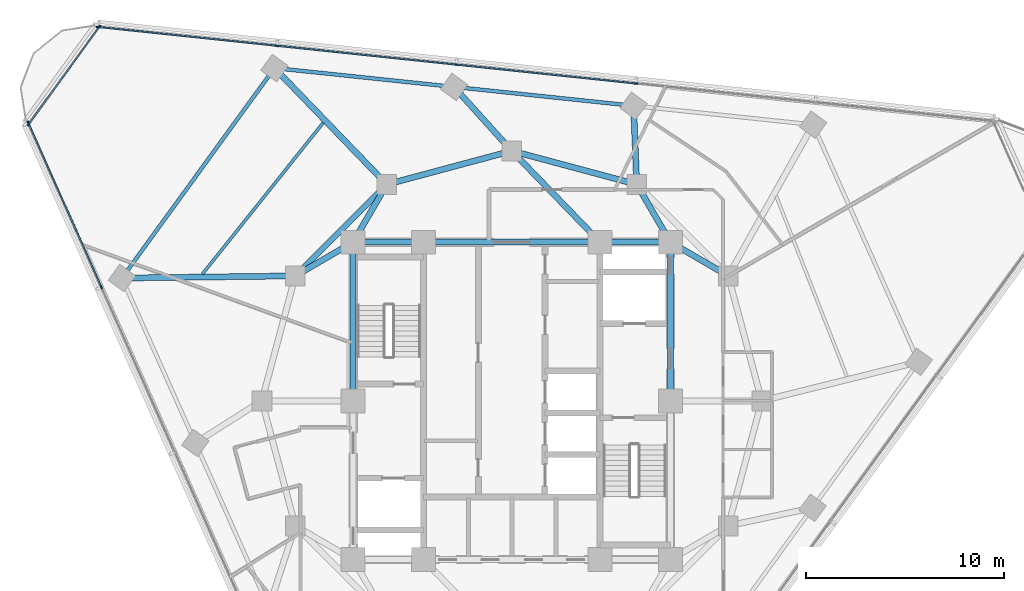
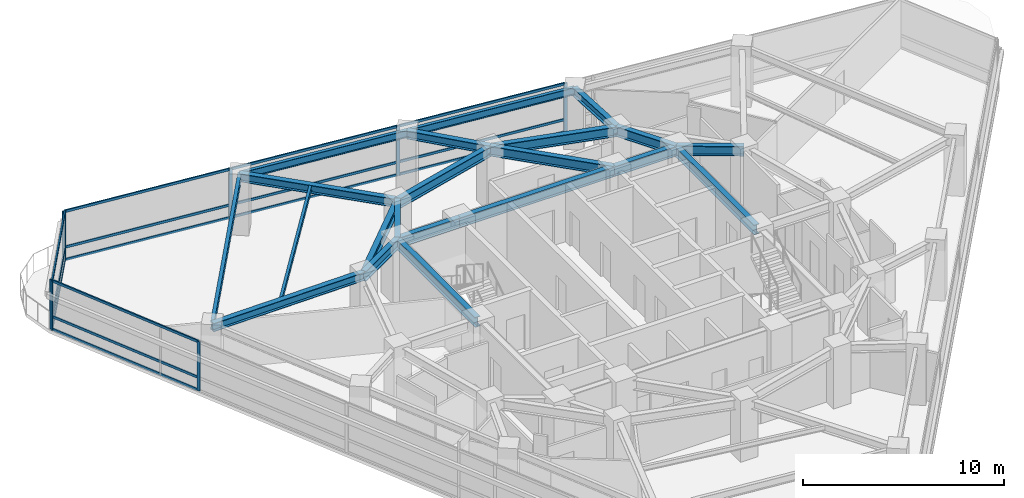
# One storey, part 5 of 14: 23 members, 21 beams, 3 elements without a shape of their own.
"""IFC4 building model written with IfcOpenShell, lengths in metres."""

from ifc_helpers import new_model, si_unit, direction, frame, origin, origin_2d, place, context, subcontext, project, spatial, rectangle, i_section, extrude, material, layer, layer_set, material_profile, profile_set, type_object, element, aggregate, save


model = new_model("IFC4")

# Units and contexts
model_context = context("Model", 3, precision=1e-05, world=origin(), true_north=direction((0.0, 1.0)))
body_context = subcontext(model_context, "Body", "Model", "MODEL_VIEW")
ifc_project = project(units=[si_unit("LENGTHUNIT", "METRE"), si_unit("AREAUNIT", "SQUARE_METRE"), si_unit("VOLUMEUNIT", "CUBIC_METRE"), si_unit("PLANEANGLEUNIT", "RADIAN"), si_unit("MASSUNIT", "GRAM", prefix="KILO")], contexts=[model_context])

# Site, building, storey
site_placement = place(None, origin())
site = spatial("IfcSite", under=ifc_project, at=site_placement, CompositionType="ELEMENT")
building_placement = place(site_placement, origin())
building = spatial("IfcBuilding", under=site, at=building_placement, Name="Terralouvre Media Tower", CompositionType="ELEMENT")
storey_placement = place(building_placement, frame((0.0, 0.0, 241.10009765625)))
storey = spatial("IfcBuildingStorey", under=building, at=storey_placement, Name="L62", CompositionType="ELEMENT", Elevation=241.10009765625)

# Beam
ifc_material_1 = material(Name="Structural steel S355J2", Category="steel")
ifc_material_profile_1 = material_profile(ifc_material_1, i_section(OverallWidth=0.14990234375, OverallDepth=0.300048828125, WebThickness=0.007080078125, FlangeThickness=0.0107421875, at=origin_2d()), Name="IPE 300")
ifc_profile_set_1 = profile_set([ifc_material_profile_1], Name="Structural steel S355J2")
beam_type_1 = type_object("IfcBeamType", Name="Composite Floor Joist J-IPE300 (IPE 300)", PredefinedType="JOIST", material=ifc_profile_set_1)
beam_1_placement = place(storey_placement, frame((-9.507568359375, 14.0205078125, 3.349853515625), z_axis=(-0.623938489158, -0.781473455561, 0.0), x_axis=(0.781473455561, -0.623938489158, 0.0)))
element("IfcBeam", 1, at=beam_1_placement, inside=storey, type_object=beam_type_1, Name="L62 Framing Beam JT-L62-05", PredefinedType="JOIST", context=body_context, shape_type="SweptSolid", body=[
    extrude(i_section(OverallWidth=0.14990234375, OverallDepth=0.300048828125, WebThickness=0.007080078125, FlangeThickness=0.0107421875, at=origin_2d()), origin(), (0.0, 0.0, 1.0), 9.763427734375),
])

# Curtain wall, members
ifc_material_2 = material(Name="Low-iron laminated double glazing with solar-control coating", Category="glass")
ifc_layer_1 = layer(ifc_material_2, 0.1650390625, Name="Upper Executive Tower Curtain Wall CW-05")
ifc_layer_set_1 = layer_set([ifc_layer_1], Name="Low-iron laminated double glazing with solar-control coating")
curtain_wall_type_1 = type_object("IfcCurtainWallType", Name="Upper Executive Tower Curtain Wall CW-05", PredefinedType="NOTDEFINED", material=ifc_layer_set_1)
curtain_wall_1_placement = place(storey_placement, origin())
curtain_wall_1 = element("IfcCurtainWall", 2, at=curtain_wall_1_placement, inside=storey, type_object=curtain_wall_type_1, Name="L62 Facade Curtain Wall F1", PredefinedType="NOTDEFINED")
ifc_material_3 = material(Name="Anodised extruded aluminium 6063-T6", Category="aluminium")
ifc_material_profile_2 = material_profile(ifc_material_3, rectangle(XDim=0.074951171875, YDim=0.14990234375, at=origin_2d()), Name="ALU 75x150")
ifc_profile_set_2 = profile_set([ifc_material_profile_2], Name="Anodised extruded aluminium 6063-T6")
member_type_1 = type_object("IfcMemberType", Name="Curtain-Wall Horizontal Transom TR-150", PredefinedType="USERDEFINED", material=ifc_profile_set_2)
member_1_placement = place(storey_placement, frame((6.21923828125, 16.002197265625, 0.037353515625), z_axis=(-0.994522041896, 0.104527069141, 0.0), x_axis=(-0.104527069141, -0.994522041896, 0.0)))
member_1 = element("IfcMember", 3, at=member_1_placement, type_object=member_type_1, Name="CW-05 transom 3.1", ObjectType="TRANSOM", PredefinedType="USERDEFINED", context=body_context, shape_type="SweptSolid", body=[
    extrude(rectangle(XDim=0.074951171875, YDim=0.14990234375, at=origin_2d()), origin(), (0.0, 0.0, 1.0), 9.025146484375),
])
member_2_placement = place(storey_placement, frame((6.21923828125, 16.002197265625, 0.7998046875), z_axis=(-0.994522041896, 0.104527069141, 0.0), x_axis=(-0.104527069141, -0.994522041896, 0.0)))
member_2 = element("IfcMember", 4, at=member_2_placement, type_object=member_type_1, Name="CW-05 transom 3.2", ObjectType="TRANSOM", PredefinedType="USERDEFINED", context=body_context, shape_type="SweptSolid", body=[
    extrude(rectangle(XDim=0.074951171875, YDim=0.14990234375, at=origin_2d()), origin(), (0.0, 0.0, 1.0), 9.025146484375),
])
member_3_placement = place(storey_placement, frame((6.21923828125, 16.002197265625, 2.96240234375), z_axis=(-0.994522041896, 0.104527069141, 0.0), x_axis=(-0.104527069141, -0.994522041896, 0.0)))
member_3 = element("IfcMember", 5, at=member_3_placement, type_object=member_type_1, Name="CW-05 transom 3.3", ObjectType="TRANSOM", PredefinedType="USERDEFINED", context=body_context, shape_type="SweptSolid", body=[
    extrude(rectangle(XDim=0.074951171875, YDim=0.14990234375, at=origin_2d()), origin(), (0.0, 0.0, 1.0), 9.025146484375),
])
member_4_placement = place(storey_placement, frame((-2.830810546875, 16.95361328125, 0.037353515625), z_axis=(-0.994522041896, 0.104527069141, 0.0), x_axis=(-0.104527069141, -0.994522041896, 0.0)))
member_4 = element("IfcMember", 6, at=member_4_placement, type_object=member_type_1, Name="CW-05 transom 4.1", ObjectType="TRANSOM", PredefinedType="USERDEFINED", context=body_context, shape_type="SweptSolid", body=[
    extrude(rectangle(XDim=0.074951171875, YDim=0.14990234375, at=origin_2d()), origin(), (0.0, 0.0, 1.0), 9.025146484375),
])
member_5_placement = place(storey_placement, frame((-2.830810546875, 16.95361328125, 0.7998046875), z_axis=(-0.994522041896, 0.104527069141, 0.0), x_axis=(-0.104527069141, -0.994522041896, 0.0)))
member_5 = element("IfcMember", 7, at=member_5_placement, type_object=member_type_1, Name="CW-05 transom 4.2", ObjectType="TRANSOM", PredefinedType="USERDEFINED", context=body_context, shape_type="SweptSolid", body=[
    extrude(rectangle(XDim=0.074951171875, YDim=0.14990234375, at=origin_2d()), origin(), (0.0, 0.0, 1.0), 9.025146484375),
])
member_6_placement = place(storey_placement, frame((-2.830810546875, 16.95361328125, 2.96240234375), z_axis=(-0.994522041896, 0.104527069141, 0.0), x_axis=(-0.104527069141, -0.994522041896, 0.0)))
member_6 = element("IfcMember", 8, at=member_6_placement, type_object=member_type_1, Name="CW-05 transom 4.3", ObjectType="TRANSOM", PredefinedType="USERDEFINED", context=body_context, shape_type="SweptSolid", body=[
    extrude(rectangle(XDim=0.074951171875, YDim=0.14990234375, at=origin_2d()), origin(), (0.0, 0.0, 1.0), 9.025146484375),
])
member_7_placement = place(storey_placement, frame((-11.881103515625, 17.90478515625, 0.037353515625), z_axis=(-0.994521813919, 0.104529238206, 0.0), x_axis=(-0.104529238206, -0.994521813919, 0.0)))
member_7 = element("IfcMember", 9, at=member_7_placement, type_object=member_type_1, Name="CW-05 transom 5.1", ObjectType="TRANSOM", PredefinedType="USERDEFINED", context=body_context, shape_type="SweptSolid", body=[
    extrude(rectangle(XDim=0.074951171875, YDim=0.14990234375, at=origin_2d()), origin(), (0.0, 0.0, 1.0), 8.987548828125),
])
member_8_placement = place(storey_placement, frame((-11.881103515625, 17.90478515625, 0.7998046875), z_axis=(-0.994521813919, 0.104529238206, 0.0), x_axis=(-0.104529238206, -0.994521813919, 0.0)))
member_8 = element("IfcMember", 10, at=member_8_placement, type_object=member_type_1, Name="CW-05 transom 5.2", ObjectType="TRANSOM", PredefinedType="USERDEFINED", context=body_context, shape_type="SweptSolid", body=[
    extrude(rectangle(XDim=0.074951171875, YDim=0.14990234375, at=origin_2d()), origin(), (0.0, 0.0, 1.0), 8.987548828125),
])
member_9_placement = place(storey_placement, frame((-11.881103515625, 17.90478515625, 2.96240234375), z_axis=(-0.994521813919, 0.104529238206, 0.0), x_axis=(-0.104529238206, -0.994521813919, 0.0)))
member_9 = element("IfcMember", 11, at=member_9_placement, type_object=member_type_1, Name="CW-05 transom 5.3", ObjectType="TRANSOM", PredefinedType="USERDEFINED", context=body_context, shape_type="SweptSolid", body=[
    extrude(rectangle(XDim=0.074951171875, YDim=0.14990234375, at=origin_2d()), origin(), (0.0, 0.0, 1.0), 8.987548828125),
])

curtain_wall_2_placement = place(storey_placement, origin())
curtain_wall_2 = element("IfcCurtainWall", 12, at=curtain_wall_2_placement, inside=storey, type_object=curtain_wall_type_1, Name="L62 Facade Curtain Wall F2", PredefinedType="NOTDEFINED")
member_10_placement = place(storey_placement, frame((-24.35546875, 13.97705078125, 0.037353515625), z_axis=(0.406758390963, -0.913535774549, 0.0), x_axis=(0.913535774549, 0.406758390963, 0.0)))
member_10 = element("IfcMember", 13, at=member_10_placement, type_object=member_type_1, Name="CW-05 transom 1.1", ObjectType="TRANSOM", PredefinedType="USERDEFINED", context=body_context, shape_type="SweptSolid", body=[
    extrude(rectangle(XDim=0.074951171875, YDim=0.14990234375, at=origin_2d()), origin(), (0.0, 0.0, 1.0), 8.987548828125),
])
member_11_placement = place(storey_placement, frame((-24.35546875, 13.97705078125, 0.7998046875), z_axis=(0.406758390963, -0.913535774549, 0.0), x_axis=(0.913535774549, 0.406758390963, 0.0)))
member_11 = element("IfcMember", 14, at=member_11_placement, type_object=member_type_1, Name="CW-05 transom 1.2", ObjectType="TRANSOM", PredefinedType="USERDEFINED", context=body_context, shape_type="SweptSolid", body=[
    extrude(rectangle(XDim=0.074951171875, YDim=0.14990234375, at=origin_2d()), origin(), (0.0, 0.0, 1.0), 8.987548828125),
])
member_12_placement = place(storey_placement, frame((-24.35546875, 13.97705078125, 2.96240234375), z_axis=(0.406758390963, -0.913535774549, 0.0), x_axis=(0.913535774549, 0.406758390963, 0.0)))
member_12 = element("IfcMember", 15, at=member_12_placement, type_object=member_type_1, Name="CW-05 transom 1.3", ObjectType="TRANSOM", PredefinedType="USERDEFINED", context=body_context, shape_type="SweptSolid", body=[
    extrude(rectangle(XDim=0.074951171875, YDim=0.14990234375, at=origin_2d()), origin(), (0.0, 0.0, 1.0), 8.987548828125),
])

ifc_material_4 = material(Name="Low-iron laminated double glazing with solar-control coating", Category="glass")
ifc_layer_2 = layer(ifc_material_4, 0.1650390625, Name="Rounded Wind-Corner Curved Glazing CW-04")
ifc_layer_set_2 = layer_set([ifc_layer_2], Name="Low-iron laminated double glazing with solar-control coating")
curtain_wall_type_2 = type_object("IfcCurtainWallType", Name="Rounded Wind-Corner Curved Glazing CW-04", PredefinedType="NOTDEFINED", material=ifc_layer_set_2)
curtain_wall_3_placement = place(storey_placement, origin())
curtain_wall_3 = element("IfcCurtainWall", 16, at=curtain_wall_3_placement, inside=storey, type_object=curtain_wall_type_2, Name="L62 Rounded Wind-Corner Curtain Wall C2", PredefinedType="NOTDEFINED")
member_13_placement = place(storey_placement, frame((-20.812255859375, 18.828369140625, 0.037353515625), z_axis=(-0.58777959511, -0.809021104528, 0.0), x_axis=(0.809021104528, -0.58777959511, 0.0)))
member_13 = element("IfcMember", 17, at=member_13_placement, type_object=member_type_1, Name="CW-04 transom 1.1", ObjectType="TRANSOM", PredefinedType="USERDEFINED", context=body_context, shape_type="SweptSolid", body=[
    extrude(rectangle(XDim=0.074951171875, YDim=0.14990234375, at=origin_2d()), origin(), (0.0, 0.0, 1.0), 5.99853515625),
])
member_14_placement = place(storey_placement, frame((-20.812255859375, 18.828369140625, 0.7998046875), z_axis=(-0.58777959511, -0.809021104528, 0.0), x_axis=(0.809021104528, -0.58777959511, 0.0)))
member_14 = element("IfcMember", 18, at=member_14_placement, type_object=member_type_1, Name="CW-04 transom 1.2", ObjectType="TRANSOM", PredefinedType="USERDEFINED", context=body_context, shape_type="SweptSolid", body=[
    extrude(rectangle(XDim=0.074951171875, YDim=0.14990234375, at=origin_2d()), origin(), (0.0, 0.0, 1.0), 5.99853515625),
])
member_15_placement = place(storey_placement, frame((-20.812255859375, 18.828369140625, 2.96240234375), z_axis=(-0.58777959511, -0.809021104528, 0.0), x_axis=(0.809021104528, -0.58777959511, 0.0)))
member_15 = element("IfcMember", 19, at=member_15_placement, type_object=member_type_1, Name="CW-04 transom 1.3", ObjectType="TRANSOM", PredefinedType="USERDEFINED", context=body_context, shape_type="SweptSolid", body=[
    extrude(rectangle(XDim=0.074951171875, YDim=0.14990234375, at=origin_2d()), origin(), (0.0, 0.0, 1.0), 5.99853515625),
])

# Member
ifc_material_5 = material(Name="Anodised extruded aluminium 6063-T6", Category="aluminium")
ifc_material_profile_3 = material_profile(ifc_material_5, rectangle(XDim=0.074951171875, YDim=0.179931640625, at=origin_2d()), Name="ALU 75x180")
ifc_profile_set_3 = profile_set([ifc_material_profile_3], Name="Anodised extruded aluminium 6063-T6")
member_type_2 = type_object("IfcMemberType", Name="Curtain-Wall Vertical Mullion ML-180", PredefinedType="MULLION", material=ifc_profile_set_3)
member_16_placement = place(storey_placement, frame((6.256591796875, 15.998291015625, 0.0), z_axis=(0.0, 0.0, 1.0), x_axis=(-0.104528561651, -0.994521885028, 0.0)))
member_16 = element("IfcMember", 20, at=member_16_placement, type_object=member_type_2, Name="CW-05 mullion 3", PredefinedType="MULLION", context=body_context, shape_type="SweptSolid", body=[
    extrude(rectangle(XDim=0.074951171875, YDim=0.179931640625, at=origin_2d()), origin(), (0.0, 0.0, 1.0), 3.0),
])

member_17_placement = place(storey_placement, frame((-2.793701171875, 16.949462890625, 0.0), z_axis=(0.0, 0.0, 1.0), x_axis=(-0.104528561651, -0.994521885028, 0.0)))
member_17 = element("IfcMember", 21, at=member_17_placement, type_object=member_type_2, Name="CW-05 mullion 4", PredefinedType="MULLION", context=body_context, shape_type="SweptSolid", body=[
    extrude(rectangle(XDim=0.074951171875, YDim=0.179931640625, at=origin_2d()), origin(), (0.0, 0.0, 1.0), 3.0),
])

member_18_placement = place(storey_placement, frame((-11.84375, 17.90087890625, 0.0), z_axis=(0.0, 0.0, 1.0), x_axis=(-0.104528561651, -0.994521885028, 0.0)))
member_18 = element("IfcMember", 22, at=member_18_placement, type_object=member_type_2, Name="CW-05 mullion 5", PredefinedType="MULLION", context=body_context, shape_type="SweptSolid", body=[
    extrude(rectangle(XDim=0.074951171875, YDim=0.179931640625, at=origin_2d()), origin(), (0.0, 0.0, 1.0), 3.0),
])

member_19_placement = place(storey_placement, frame((-20.856689453125, 18.84814453125, 0.0), z_axis=(0.0, 0.0, 1.0), x_axis=(-0.104528561651, -0.994521885028, 0.0)))
member_19 = element("IfcMember", 23, at=member_19_placement, type_object=member_type_2, Name="CW-05 mullion 6", PredefinedType="MULLION", context=body_context, shape_type="SweptSolid", body=[
    extrude(rectangle(XDim=0.074951171875, YDim=0.179931640625, at=origin_2d()), origin(), (0.0, 0.0, 1.0), 3.0),
])

aggregate(curtain_wall_1, [member_16, member_17, member_18, member_19, member_1, member_2, member_3, member_4, member_5, member_6, member_7, member_8, member_9])

member_20_placement = place(storey_placement, frame((-24.37060546875, 14.011474609375, 0.0), z_axis=(0.0, 0.0, 1.0), x_axis=(0.913545441365, 0.406736679636, 0.0)))
member_20 = element("IfcMember", 24, at=member_20_placement, type_object=member_type_2, Name="CW-05 mullion 1", PredefinedType="MULLION", context=body_context, shape_type="SweptSolid", body=[
    extrude(rectangle(XDim=0.074951171875, YDim=0.179931640625, at=origin_2d()), origin(), (0.0, 0.0, 1.0), 3.0),
])

member_21_placement = place(storey_placement, frame((-20.6845703125, 5.732421875, 0.0), z_axis=(0.0, 0.0, 1.0), x_axis=(0.913545441365, 0.406736679636, 0.0)))
member_21 = element("IfcMember", 25, at=member_21_placement, type_object=member_type_2, Name="CW-05 mullion 2", PredefinedType="MULLION", context=body_context, shape_type="SweptSolid", body=[
    extrude(rectangle(XDim=0.074951171875, YDim=0.179931640625, at=origin_2d()), origin(), (0.0, 0.0, 1.0), 3.0),
])

aggregate(curtain_wall_2, [member_20, member_21, member_10, member_11, member_12])

member_22_placement = place(storey_placement, frame((-20.7900390625, 18.858642578125, 0.0), z_axis=(0.0, 0.0, 1.0), x_axis=(0.809016531067, -0.58778588998, 0.0)))
member_22 = element("IfcMember", 26, at=member_22_placement, type_object=member_type_2, Name="CW-04 mullion 1", PredefinedType="MULLION", context=body_context, shape_type="SweptSolid", body=[
    extrude(rectangle(XDim=0.074951171875, YDim=0.179931640625, at=origin_2d()), origin(), (0.0, 0.0, 1.0), 3.0),
])

member_23_placement = place(storey_placement, frame((-24.360107421875, 13.94482421875, 0.0), z_axis=(0.0, 0.0, 1.0), x_axis=(0.809016531067, -0.58778588998, 0.0)))
member_23 = element("IfcMember", 27, at=member_23_placement, type_object=member_type_2, Name="CW-04 mullion 2", PredefinedType="MULLION", context=body_context, shape_type="SweptSolid", body=[
    extrude(rectangle(XDim=0.074951171875, YDim=0.179931640625, at=origin_2d()), origin(), (0.0, 0.0, 1.0), 3.0),
])

aggregate(curtain_wall_3, [member_22, member_23, member_13, member_14, member_15])

# Beams
ifc_material_6 = material(Name="Structural steel S355J2", Category="steel")
ifc_material_profile_4 = material_profile(ifc_material_6, i_section(OverallWidth=0.18994140625, OverallDepth=0.449951171875, WebThickness=0.009521484375, FlangeThickness=0.0146484375, at=origin_2d()), Name="IPE 450")
ifc_profile_set_4 = profile_set([ifc_material_profile_4], Name="Structural steel S355J2")
beam_type_2 = type_object("IfcBeamType", Name="Perimeter Spandrel Beam SPB-450 (IPE 450)", PredefinedType="SPANDREL", material=ifc_profile_set_4)
beam_2_placement = place(storey_placement, frame((6.138427734375, 14.87451171875, 3.27490234375), z_axis=(-0.994522199081, 0.104525573596, 0.0), x_axis=(-0.104525573596, -0.994522199081, 0.0)))
element("IfcBeam", 28, at=beam_2_placement, inside=storey, type_object=beam_type_2, Name="L62 Framing Beam BM-L62-PR09", PredefinedType="SPANDREL", context=body_context, shape_type="SweptSolid", body=[
    extrude(i_section(OverallWidth=0.18994140625, OverallDepth=0.449951171875, WebThickness=0.009521484375, FlangeThickness=0.0146484375, at=origin_2d()), origin(), (0.0, 0.0, 1.0), 9.099853515625),
])
beam_3_placement = place(storey_placement, frame((-2.91162109375, 15.82568359375, 3.27490234375), z_axis=(-0.994522492191, 0.10452278472, 0.0), x_axis=(-0.10452278472, -0.994522492191, 0.0)))
element("IfcBeam", 29, at=beam_3_placement, inside=storey, type_object=beam_type_2, Name="L62 Framing Beam BM-L62-PR10", PredefinedType="SPANDREL", context=body_context, shape_type="SweptSolid", body=[
    extrude(i_section(OverallWidth=0.18994140625, OverallDepth=0.449951171875, WebThickness=0.009521484375, FlangeThickness=0.0146484375, at=origin_2d()), origin(), (0.0, 0.0, 1.0), 9.10009765625),
])
beam_4_placement = place(storey_placement, frame((-11.9619140625, 16.77685546875, 3.27490234375), z_axis=(-0.587794396272, -0.809010350806, 0.0), x_axis=(0.809010350806, -0.587794396272, 0.0)))
element("IfcBeam", 30, at=beam_4_placement, inside=storey, type_object=beam_type_2, Name="L62 Framing Beam BM-L62-PR11", PredefinedType="SPANDREL", context=body_context, shape_type="SweptSolid", body=[
    extrude(i_section(OverallWidth=0.18994140625, OverallDepth=0.449951171875, WebThickness=0.009521484375, FlangeThickness=0.0146484375, at=origin_2d()), origin(), (0.0, 0.0, 1.0), 13.08349609375),
])
ifc_material_7 = material(Name="Structural steel S355J2", Category="steel")
ifc_material_profile_5 = material_profile(ifc_material_7, i_section(OverallWidth=0.300048828125, OverallDepth=0.5, WebThickness=0.014404296875, FlangeThickness=0.028076171875, at=origin_2d()), Name="HEB 500")
ifc_profile_set_5 = profile_set([ifc_material_profile_5], Name="Structural steel S355J2")
beam_type_3 = type_object("IfcBeamType", Name="Primary Floor Girder B-HEB500 (HEB 500)", PredefinedType="BEAM", material=ifc_profile_set_5)
beam_5_placement = place(storey_placement, frame((6.300048828125, 10.911865234375, 3.25), z_axis=(-0.040752268141, 0.999169281274, 0.0), x_axis=(-0.999169281274, -0.040752268141, 0.0)))
element("IfcBeam", 31, at=beam_5_placement, inside=storey, type_object=beam_type_3, Name="L62 Framing Beam BM-L62-RD09", PredefinedType="BEAM", context=body_context, shape_type="SweptSolid", body=[
    extrude(i_section(OverallWidth=0.300048828125, OverallDepth=0.5, WebThickness=0.014404296875, FlangeThickness=0.028076171875, at=origin_2d()), origin(), (0.0, 0.0, 1.0), 3.9658203125),
])
beam_6_placement = place(storey_placement, frame((0.0, 12.60009765625, 3.25), z_axis=(-0.670056658177, 0.742309958732, 0.0), x_axis=(-0.742309958732, -0.670056658177, 0.0)))
element("IfcBeam", 32, at=beam_6_placement, inside=storey, type_object=beam_type_3, Name="L62 Framing Beam BM-L62-RD10", PredefinedType="BEAM", context=body_context, shape_type="SweptSolid", body=[
    extrude(i_section(OverallWidth=0.300048828125, OverallDepth=0.5, WebThickness=0.014404296875, FlangeThickness=0.028076171875, at=origin_2d()), origin(), (0.0, 0.0, 1.0), 4.34521484375),
])
beam_7_placement = place(storey_placement, frame((-6.300048828125, 10.911865234375, 3.25), z_axis=(-0.694538392484, 0.719455642389, 0.0), x_axis=(-0.719455642389, -0.694538392484, 0.0)))
element("IfcBeam", 33, at=beam_7_placement, inside=storey, type_object=beam_type_3, Name="L62 Framing Beam BM-L62-RD11", PredefinedType="BEAM", context=body_context, shape_type="SweptSolid", body=[
    extrude(i_section(OverallWidth=0.300048828125, OverallDepth=0.5, WebThickness=0.014404296875, FlangeThickness=0.028076171875, at=origin_2d()), origin(), (0.0, 0.0, 1.0), 8.152099609375),
])
beam_8_placement = place(storey_placement, frame((-10.911865234375, 6.300048828125, 3.25), z_axis=(-0.999923796559, -0.012345083045, 0.0), x_axis=(0.012345083045, -0.999923796559, 0.0)))
element("IfcBeam", 34, at=beam_8_placement, inside=storey, type_object=beam_type_3, Name="L62 Framing Beam BM-L62-RD12", PredefinedType="BEAM", context=body_context, shape_type="SweptSolid", body=[
    extrude(i_section(OverallWidth=0.300048828125, OverallDepth=0.5, WebThickness=0.014404296875, FlangeThickness=0.028076171875, at=origin_2d()), origin(), (0.0, 0.0, 1.0), 8.7412109375),
])
ifc_material_8 = material(Name="Structural steel S460M", Category="steel")
ifc_material_profile_6 = material_profile(ifc_material_8, i_section(OverallWidth=0.300048828125, OverallDepth=0.60009765625, WebThickness=0.015380859375, FlangeThickness=0.030029296875, at=origin_2d()), Name="HEB 600")
ifc_profile_set_6 = profile_set([ifc_material_profile_6], Name="Structural steel S460M")
beam_type_4 = type_object("IfcBeamType", Name="Primary Floor Girder B-HEB600 (HEB 600)", PredefinedType="BEAM", material=ifc_profile_set_6)
beam_9_placement = place(storey_placement, frame((8.0, 0.0, 3.199951171875), z_axis=(0.0, 1.0, 0.0), x_axis=(-1.0, 0.0, 0.0)))
element("IfcBeam", 35, at=beam_9_placement, inside=storey, type_object=beam_type_4, Name="L62 Framing Beam BM-L62-CPR05", PredefinedType="BEAM", context=body_context, shape_type="SweptSolid", body=[
    extrude(i_section(OverallWidth=0.300048828125, OverallDepth=0.60009765625, WebThickness=0.015380859375, FlangeThickness=0.030029296875, at=origin_2d()), origin(), (0.0, 0.0, 1.0), 8.0),
])
beam_10_placement = place(storey_placement, frame((8.0, 8.0, 3.199951171875), z_axis=(-1.0, 0.0, 0.0), x_axis=(0.0, -1.0, 0.0)))
element("IfcBeam", 36, at=beam_10_placement, inside=storey, type_object=beam_type_4, Name="L62 Framing Beam BM-L62-CPR06", PredefinedType="BEAM", context=body_context, shape_type="SweptSolid", body=[
    extrude(i_section(OverallWidth=0.300048828125, OverallDepth=0.60009765625, WebThickness=0.015380859375, FlangeThickness=0.030029296875, at=origin_2d()), origin(), (0.0, 0.0, 1.0), 3.550048828125),
])
beam_11_placement = place(storey_placement, frame((4.449951171875, 8.0, 3.199951171875), z_axis=(-1.0, 0.0, 0.0), x_axis=(0.0, -1.0, 0.0)))
element("IfcBeam", 37, at=beam_11_placement, inside=storey, type_object=beam_type_4, Name="L62 Framing Beam BM-L62-CPR07", PredefinedType="BEAM", context=body_context, shape_type="SweptSolid", body=[
    extrude(i_section(OverallWidth=0.300048828125, OverallDepth=0.60009765625, WebThickness=0.015380859375, FlangeThickness=0.030029296875, at=origin_2d()), origin(), (0.0, 0.0, 1.0), 8.89990234375),
])
beam_12_placement = place(storey_placement, frame((-4.449951171875, 8.0, 3.199951171875), z_axis=(-1.0, 0.0, 0.0), x_axis=(0.0, -1.0, 0.0)))
element("IfcBeam", 38, at=beam_12_placement, inside=storey, type_object=beam_type_4, Name="L62 Framing Beam BM-L62-CPR08", PredefinedType="BEAM", context=body_context, shape_type="SweptSolid", body=[
    extrude(i_section(OverallWidth=0.300048828125, OverallDepth=0.60009765625, WebThickness=0.015380859375, FlangeThickness=0.030029296875, at=origin_2d()), origin(), (0.0, 0.0, 1.0), 3.550048828125),
])
beam_13_placement = place(storey_placement, frame((-8.0, 8.0, 3.199951171875), z_axis=(0.0, -1.0, 0.0), x_axis=(1.0, 0.0, 0.0)))
element("IfcBeam", 39, at=beam_13_placement, inside=storey, type_object=beam_type_4, Name="L62 Framing Beam BM-L62-CPR09", PredefinedType="BEAM", context=body_context, shape_type="SweptSolid", body=[
    extrude(i_section(OverallWidth=0.300048828125, OverallDepth=0.60009765625, WebThickness=0.015380859375, FlangeThickness=0.030029296875, at=origin_2d()), origin(), (0.0, 0.0, 1.0), 8.0),
])
for number, where, z_axis, x_axis, name in (
    (40, (6.300048828125, 10.911865234375, 3.199951171875), (-0.965920481897, 0.258838989821, 0.0), (-0.258838989821, -0.965920481897, 0.0), "L62 Framing Beam BM-L62-MR08"),
    (41, (0.0, 12.60009765625, 3.199951171875), (-0.965920481897, -0.258838989821, 0.0), (0.258838989821, -0.965920481897, 0.0), "L62 Framing Beam BM-L62-MR09"),
):
    element("IfcBeam", number, at=place(storey_placement, frame(where, z_axis=z_axis, x_axis=x_axis)), inside=storey, type_object=beam_type_4, Name=name, PredefinedType="BEAM", context=body_context, shape_type="SweptSolid", body=[
        extrude(i_section(OverallWidth=0.300048828125, OverallDepth=0.60009765625, WebThickness=0.015380859375, FlangeThickness=0.030029296875, at=origin_2d()), origin(), (0.0, 0.0, 1.0), 6.522216796875),
    ])
beam_14_placement = place(storey_placement, frame((-6.300048828125, 10.911865234375, 3.199951171875), z_axis=(-0.707106781187, -0.707106781187, 0.0), x_axis=(0.707106781187, -0.707106781187, 0.0)))
element("IfcBeam", 42, at=beam_14_placement, inside=storey, type_object=beam_type_4, Name="L62 Framing Beam BM-L62-MR10", PredefinedType="BEAM", context=body_context, shape_type="SweptSolid", body=[
    extrude(i_section(OverallWidth=0.300048828125, OverallDepth=0.60009765625, WebThickness=0.015380859375, FlangeThickness=0.030029296875, at=origin_2d()), origin(), (0.0, 0.0, 1.0), 6.52197265625),
])
for number, where, z_axis, x_axis, name in (
    (43, (8.0, 8.0, 3.199951171875), (0.863602894532, -0.504172629717, 0.0), (0.504172629717, 0.863602894532, 0.0), "L62 Framing Beam BM-L62-CM07"),
    (44, (8.0, 8.0, 3.199951171875), (-0.504172629717, 0.863602894532, 0.0), (-0.863602894532, -0.504172629717, 0.0), "L62 Framing Beam BM-L62-CM08"),
):
    element("IfcBeam", number, at=place(storey_placement, frame(where, z_axis=z_axis, x_axis=x_axis)), inside=storey, type_object=beam_type_4, Name=name, PredefinedType="BEAM", context=body_context, shape_type="SweptSolid", body=[
        extrude(i_section(OverallWidth=0.300048828125, OverallDepth=0.60009765625, WebThickness=0.015380859375, FlangeThickness=0.030029296875, at=origin_2d()), origin(), (0.0, 0.0, 1.0), 3.371826171875),
    ])
beam_15_placement = place(storey_placement, frame((4.449951171875, 8.0, 3.199951171875), z_axis=(-0.695279715726, 0.718739255155, 0.0), x_axis=(-0.718739255155, -0.695279715726, 0.0)))
element("IfcBeam", 45, at=beam_15_placement, inside=storey, type_object=beam_type_4, Name="L62 Framing Beam BM-L62-CM09", PredefinedType="BEAM", context=body_context, shape_type="SweptSolid", body=[
    extrude(i_section(OverallWidth=0.300048828125, OverallDepth=0.60009765625, WebThickness=0.015380859375, FlangeThickness=0.030029296875, at=origin_2d()), origin(), (0.0, 0.0, 1.0), 6.400146484375),
])
for number, where, z_axis, x_axis, name in (
    (46, (-8.0, 8.0, 3.199951171875), (0.504172629717, 0.863602894532, 0.0), (-0.863602894532, 0.504172629717, 0.0), "L62 Framing Beam BM-L62-CM10"),
    (47, (-8.0, 8.0, 3.199951171875), (-0.863602894532, -0.504172629717, 0.0), (0.504172629717, -0.863602894532, 0.0), "L62 Framing Beam BM-L62-CM11"),
):
    element("IfcBeam", number, at=place(storey_placement, frame(where, z_axis=z_axis, x_axis=x_axis)), inside=storey, type_object=beam_type_4, Name=name, PredefinedType="BEAM", context=body_context, shape_type="SweptSolid", body=[
        extrude(i_section(OverallWidth=0.300048828125, OverallDepth=0.60009765625, WebThickness=0.015380859375, FlangeThickness=0.030029296875, at=origin_2d()), origin(), (0.0, 0.0, 1.0), 3.371826171875),
    ])

save(model, "model.ifc")
